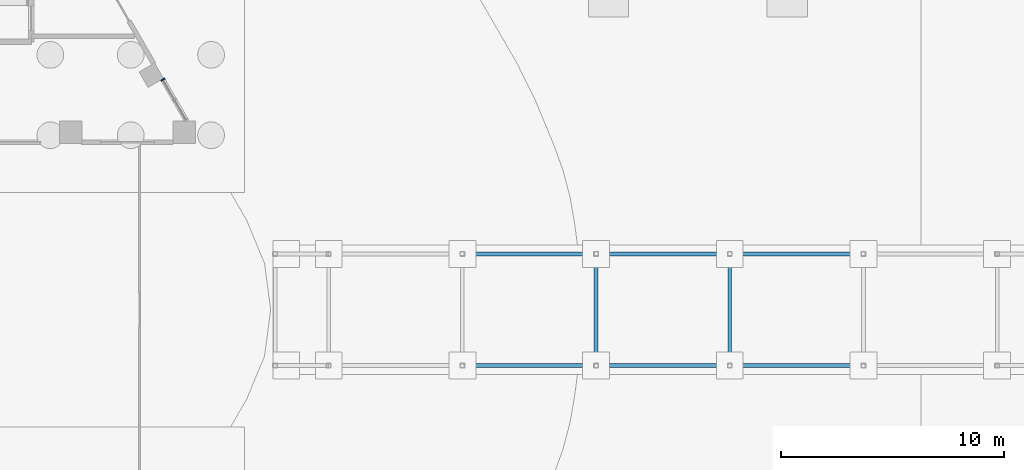
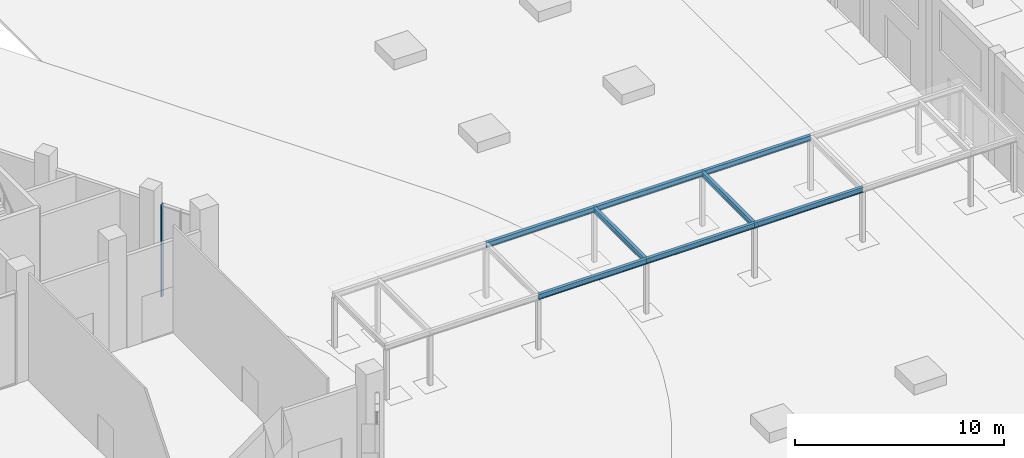
# One storey, part 14 of 44: 8 beams, 1 member, 1 element without a shape of its own.
"""IFC4 building model written with IfcOpenShell, lengths in metres."""

from ifc_helpers import new_model, si_unit, direction, frame, origin, origin_2d, place, context, subcontext, project, spatial, rectangle, i_section, extrude, material, layer, layer_set, material_profile, profile_set, type_object, element, aggregate, save


model = new_model("IFC4")

# Units and contexts
model_context = context("Model", 3, precision=1e-05, world=origin(), true_north=direction((0.0, 1.0)))
body_context = subcontext(model_context, "Body", "Model", "MODEL_VIEW")
ifc_project = project(units=[si_unit("LENGTHUNIT", "METRE"), si_unit("AREAUNIT", "SQUARE_METRE"), si_unit("VOLUMEUNIT", "CUBIC_METRE"), si_unit("PLANEANGLEUNIT", "RADIAN"), si_unit("MASSUNIT", "GRAM", prefix="KILO")], contexts=[model_context])

# Site, building, storey
site_placement = place(None, origin())
site = spatial("IfcSite", under=ifc_project, at=site_placement, CompositionType="ELEMENT")
building_placement = place(site_placement, origin())
building = spatial("IfcBuilding", under=site, at=building_placement, Name="Nakaniwa Court", CompositionType="ELEMENT")
storey_placement = place(building_placement, origin())
storey = spatial("IfcBuildingStorey", under=building, at=storey_placement, Name="L00", CompositionType="ELEMENT", Elevation=0.0)

# Beams
ifc_material_1 = material(Name="Steel AS/NZS 3679.1 Grade 300", Category="steel")
ifc_material_profile_1 = material_profile(ifc_material_1, i_section(OverallWidth=0.1650390625, OverallDepth=0.303955078125, WebThickness=0.006103515625, FlangeThickness=0.01025390625, FilletRadius=0.0087890625, at=origin_2d()), Name="310UB40.4")
ifc_profile_set_1 = profile_set([ifc_material_profile_1], Name="Steel AS/NZS 3679.1 Grade 300")
beam_type = type_object("IfcBeamType", Name="Canopy beam 310 UB40.4", PredefinedType="BEAM", material=ifc_profile_set_1)
beam_1_placement = place(storey_placement, frame((125.4541015625, 77.5, 3.052001953125), z_axis=(1.0, 0.0, 0.0), x_axis=(0.0, 1.0, 0.0)))
element("IfcBeam", 1, at=beam_1_placement, inside=storey, type_object=beam_type, Name="Canopy longitudinal beam S3", PredefinedType="BEAM", context=body_context, shape_type="SweptSolid", body=[
    extrude(i_section(OverallWidth=0.1650390625, OverallDepth=0.303955078125, WebThickness=0.006103515625, FlangeThickness=0.01025390625, FilletRadius=0.0087890625, at=origin_2d()), origin(), (0.0, 0.0, 1.0), 5.986328125),
])
for number, where, z_axis, x_axis, name in (
    (2, (131.4404296875, 77.5, 3.052001953125), (1.0, 0.0, 0.0), (0.0, 1.0, 0.0), "Canopy longitudinal beam S4"),
    (3, (137.427001953125, 77.5, 3.052001953125), (1.0, 0.0, 0.0), (0.0, 1.0, 0.0), "Canopy longitudinal beam S5"),
):
    element("IfcBeam", number, at=place(storey_placement, frame(where, z_axis=z_axis, x_axis=x_axis)), inside=storey, type_object=beam_type, Name=name, PredefinedType="BEAM", context=body_context, shape_type="SweptSolid", body=[
        extrude(i_section(OverallWidth=0.1650390625, OverallDepth=0.303955078125, WebThickness=0.006103515625, FlangeThickness=0.01025390625, FilletRadius=0.0087890625, at=origin_2d()), origin(), (0.0, 0.0, 1.0), 5.986572265625),
    ])
beam_2_placement = place(storey_placement, frame((125.4541015625, 82.5, 3.052001953125), z_axis=(1.0, 0.0, 0.0), x_axis=(0.0, 1.0, 0.0)))
element("IfcBeam", 4, at=beam_2_placement, inside=storey, type_object=beam_type, Name="Canopy longitudinal beam N3", PredefinedType="BEAM", context=body_context, shape_type="SweptSolid", body=[
    extrude(i_section(OverallWidth=0.1650390625, OverallDepth=0.303955078125, WebThickness=0.006103515625, FlangeThickness=0.01025390625, FilletRadius=0.0087890625, at=origin_2d()), origin(), (0.0, 0.0, 1.0), 5.986328125),
])
for number, where, z_axis, x_axis, name in (
    (5, (131.4404296875, 82.5, 3.052001953125), (1.0, 0.0, 0.0), (0.0, 1.0, 0.0), "Canopy longitudinal beam N4"),
    (6, (137.427001953125, 82.5, 3.052001953125), (1.0, 0.0, 0.0), (0.0, 1.0, 0.0), "Canopy longitudinal beam N5"),
):
    element("IfcBeam", number, at=place(storey_placement, frame(where, z_axis=z_axis, x_axis=x_axis)), inside=storey, type_object=beam_type, Name=name, PredefinedType="BEAM", context=body_context, shape_type="SweptSolid", body=[
        extrude(i_section(OverallWidth=0.1650390625, OverallDepth=0.303955078125, WebThickness=0.006103515625, FlangeThickness=0.01025390625, FilletRadius=0.0087890625, at=origin_2d()), origin(), (0.0, 0.0, 1.0), 5.986572265625),
    ])
for number, where, z_axis, x_axis, name in (
    (7, (131.4404296875, 77.58251953125, 3.052001953125), (0.0, 1.0, 0.0), (-1.0, 0.0, 0.0), "Canopy cross beam 4"),
    (8, (137.427001953125, 77.58251953125, 3.052001953125), (0.0, 1.0, 0.0), (-1.0, 0.0, 0.0), "Canopy cross beam 5"),
):
    element("IfcBeam", number, at=place(storey_placement, frame(where, z_axis=z_axis, x_axis=x_axis)), inside=storey, type_object=beam_type, Name=name, PredefinedType="BEAM", context=body_context, shape_type="SweptSolid", body=[
        extrude(i_section(OverallWidth=0.1650390625, OverallDepth=0.303955078125, WebThickness=0.006103515625, FlangeThickness=0.01025390625, FilletRadius=0.0087890625, at=origin_2d()), origin(), (0.0, 0.0, 1.0), 4.8349609375),
    ])

# Curtain wall, member
ifc_material_2 = material(Name="Black anodised aluminium frame with dark low-E laminated double glazing", Category="aluminium")
ifc_layer = layer(ifc_material_2, 0.199951171875)
ifc_layer_set = layer_set([ifc_layer], Name="Black anodised aluminium frame with dark low-E laminated double glazing")
curtain_wall_type = type_object("IfcCurtainWallType", Name="Concourse stick curtain wall", PredefinedType="NOTDEFINED", material=ifc_layer_set)
curtain_wall_placement = place(storey_placement, origin())
curtain_wall = element("IfcCurtainWall", 9, at=curtain_wall_placement, inside=storey, type_object=curtain_wall_type, Name="L00 curtain wall CW2 39", PredefinedType="NOTDEFINED")
ifc_material_3 = material(Name="Black anodised aluminium extrusion", Category="aluminium")
ifc_material_profile_2 = material_profile(ifc_material_3, rectangle(XDim=0.199951171875, YDim=0.06005859375, at=origin_2d()), Name="Concourse stick curtain wall mullion 60x200")
ifc_profile_set_2 = profile_set([ifc_material_profile_2], Name="Black anodised aluminium extrusion")
member_type = type_object("IfcMemberType", Name="Concourse stick curtain wall mullion 60x200", PredefinedType="MULLION", material=ifc_profile_set_2)
member_placement = place(storey_placement, frame((112.039306640625, 90.306640625, 0.0), z_axis=(0.0, 0.0, 1.0), x_axis=(-0.866035247422, -0.499982949932, 0.0)))
member = element("IfcMember", 10, at=member_placement, type_object=member_type, Name="CW2 mullion 3", PredefinedType="MULLION", context=body_context, shape_type="SweptSolid", body=[
    extrude(rectangle(XDim=0.199951171875, YDim=0.06005859375, at=origin_2d()), origin(), (0.0, 0.0, 1.0), 5.39990234375),
])
aggregate(curtain_wall, [member])

save(model, "model.ifc")
